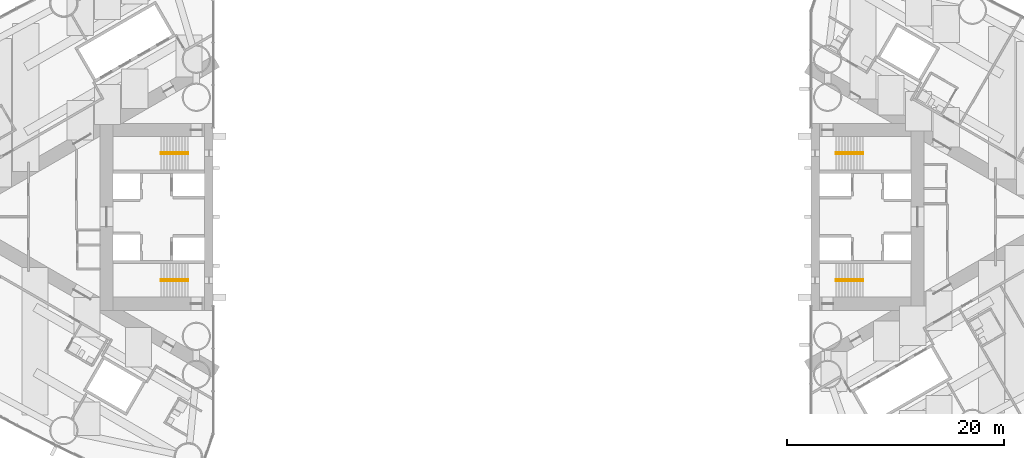
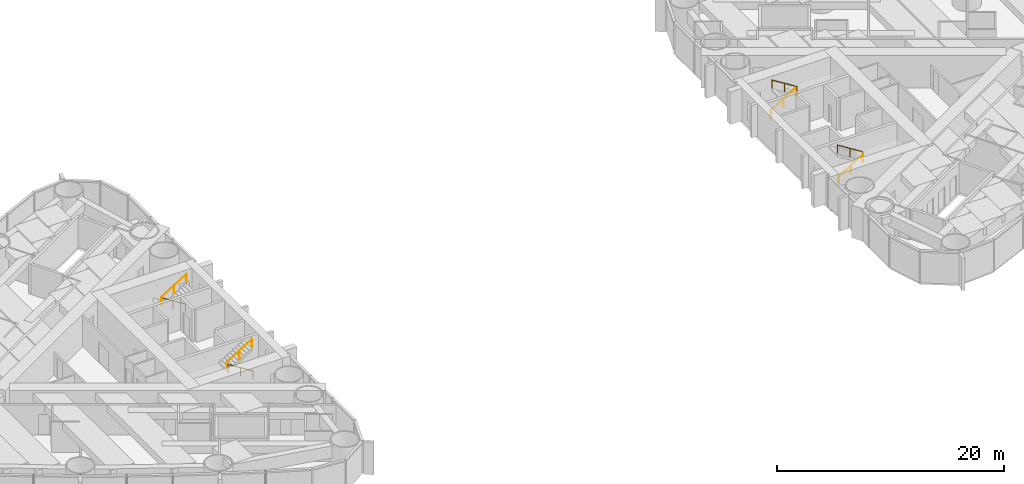
# One storey, part 18 of 19: 8 railings.
"""IFC4 building model written with IfcOpenShell, lengths in metres."""

from ifc_helpers import new_model, si_unit, direction, frame, origin, origin_2d, place, context, subcontext, project, spatial, circle, extrude, material, type_object, element, save


model = new_model("IFC4")

# Units and contexts
model_context = context("Model", 3, precision=1e-05, world=origin(), true_north=direction((0.0, 1.0)))
body_context = subcontext(model_context, "Body", "Model", "MODEL_VIEW")
ifc_project = project(units=[si_unit("LENGTHUNIT", "METRE"), si_unit("AREAUNIT", "SQUARE_METRE"), si_unit("VOLUMEUNIT", "CUBIC_METRE"), si_unit("PLANEANGLEUNIT", "RADIAN"), si_unit("MASSUNIT", "GRAM", prefix="KILO")], contexts=[model_context])

# Site, building, storey
site_placement = place(None, origin())
site = spatial("IfcSite", under=ifc_project, at=site_placement, CompositionType="ELEMENT")
building_placement = place(site_placement, origin())
building = spatial("IfcBuilding", under=site, at=building_placement, Name="Lancet Gate Hotel", CompositionType="ELEMENT")
storey_placement = place(building_placement, frame((0.0, 0.0, 90.60009765625)))
storey = spatial("IfcBuildingStorey", under=building, at=storey_placement, Name="L23", CompositionType="ELEMENT", Elevation=90.60009765625)

# Railings
ifc_material = material(Name="Stainless steel handrail", Category="steel")
railing_type = type_object("IfcRailingType", Name="Stair handrail 900", PredefinedType="HANDRAIL", material=ifc_material)
railing_1_placement = place(storey_placement, frame((-29.800048828125, 5.929931640625, 0.1748046875)))
element("IfcRailing", 1, at=railing_1_placement, inside=storey, type_object=railing_type, Name="ST1 handrail flight 1 L23", PredefinedType="HANDRAIL", context=body_context, shape_type="SweptSolid", body=[
    extrude(circle(Radius=0.02392578125, at=origin_2d()), frame((0.0, 0.0, 0.8759765625), z_axis=(-0.847970611238, 0.0, 0.530043245855), x_axis=(0.0, -1.0, 0.0)), (0.0, 0.0, 1.0), 2.971923828125),
    extrude(circle(Radius=0.02099609375, at=origin_2d()), origin(), (0.0, 0.0, 1.0), 0.851806640625),
    extrude(circle(Radius=0.02099609375, at=origin_2d()), frame((-1.260009765625, 0.0, 0.78759765625)), (0.0, 0.0, 1.0), 0.851806640625),
    extrude(circle(Radius=0.02099609375, at=origin_2d()), frame((-2.52001953125, 0.0, 1.5751953125)), (0.0, 0.0, 1.0), 0.851806640625),
])
railing_2_placement = place(storey_placement, frame((-32.320068359375, 5.77001953125, 1.9248046875)))
element("IfcRailing", 2, at=railing_2_placement, inside=storey, type_object=railing_type, Name="ST1 handrail flight 2 L23", PredefinedType="HANDRAIL", context=body_context, shape_type="SweptSolid", body=[
    extrude(circle(Radius=0.02392578125, at=origin_2d()), frame((0.0, 0.0, 0.8759765625), z_axis=(0.847970611238, 0.0, 0.530043245855), x_axis=(0.0, 1.0, 0.0)), (0.0, 0.0, 1.0), 2.971923828125),
    extrude(circle(Radius=0.02099609375, at=origin_2d()), origin(), (0.0, 0.0, 1.0), 0.851806640625),
    extrude(circle(Radius=0.02099609375, at=origin_2d()), frame((1.260009765625, 0.0, 0.78759765625)), (0.0, 0.0, 1.0), 0.851806640625),
    extrude(circle(Radius=0.02099609375, at=origin_2d()), frame((2.52001953125, 0.0, 1.5751953125)), (0.0, 0.0, 1.0), 0.851806640625),
])
railing_3_placement = place(storey_placement, frame((-29.800048828125, -5.929931640625, 0.1748046875)))
element("IfcRailing", 3, at=railing_3_placement, inside=storey, type_object=railing_type, Name="ST2 handrail flight 1 L23", PredefinedType="HANDRAIL", context=body_context, shape_type="SweptSolid", body=[
    extrude(circle(Radius=0.02392578125, at=origin_2d()), frame((0.0, 0.0, 0.8759765625), z_axis=(-0.847970611238, 0.0, 0.530043245855), x_axis=(0.0, -1.0, 0.0)), (0.0, 0.0, 1.0), 2.971923828125),
    extrude(circle(Radius=0.02099609375, at=origin_2d()), origin(), (0.0, 0.0, 1.0), 0.851806640625),
    extrude(circle(Radius=0.02099609375, at=origin_2d()), frame((-1.260009765625, 0.0, 0.78759765625)), (0.0, 0.0, 1.0), 0.851806640625),
    extrude(circle(Radius=0.02099609375, at=origin_2d()), frame((-2.52001953125, 0.0, 1.5751953125)), (0.0, 0.0, 1.0), 0.851806640625),
])
for number, where, name in (
    (4, (-32.320068359375, -5.77001953125, 1.9248046875), "ST2 handrail flight 2 L23"),
    (5, (29.800048828125, -5.929931640625, 0.1748046875), "ST3 handrail flight 1 L23"),
):
    element("IfcRailing", number, at=place(storey_placement, frame(where)), inside=storey, type_object=railing_type, Name=name, PredefinedType="HANDRAIL", context=body_context, shape_type="SweptSolid", body=[
        extrude(circle(Radius=0.02392578125, at=origin_2d()), frame((0.0, 0.0, 0.8759765625), z_axis=(0.847970611238, 0.0, 0.530043245855), x_axis=(0.0, 1.0, 0.0)), (0.0, 0.0, 1.0), 2.971923828125),
        extrude(circle(Radius=0.02099609375, at=origin_2d()), origin(), (0.0, 0.0, 1.0), 0.851806640625),
        extrude(circle(Radius=0.02099609375, at=origin_2d()), frame((1.260009765625, 0.0, 0.78759765625)), (0.0, 0.0, 1.0), 0.851806640625),
        extrude(circle(Radius=0.02099609375, at=origin_2d()), frame((2.52001953125, 0.0, 1.5751953125)), (0.0, 0.0, 1.0), 0.851806640625),
    ])
railing_4_placement = place(storey_placement, frame((32.320068359375, -5.77001953125, 1.9248046875)))
element("IfcRailing", 6, at=railing_4_placement, inside=storey, type_object=railing_type, Name="ST3 handrail flight 2 L23", PredefinedType="HANDRAIL", context=body_context, shape_type="SweptSolid", body=[
    extrude(circle(Radius=0.02392578125, at=origin_2d()), frame((0.0, 0.0, 0.8759765625), z_axis=(-0.847970611238, 0.0, 0.530043245855), x_axis=(0.0, -1.0, 0.0)), (0.0, 0.0, 1.0), 2.971923828125),
    extrude(circle(Radius=0.02099609375, at=origin_2d()), origin(), (0.0, 0.0, 1.0), 0.851806640625),
    extrude(circle(Radius=0.02099609375, at=origin_2d()), frame((-1.260009765625, 0.0, 0.78759765625)), (0.0, 0.0, 1.0), 0.851806640625),
    extrude(circle(Radius=0.02099609375, at=origin_2d()), frame((-2.52001953125, 0.0, 1.5751953125)), (0.0, 0.0, 1.0), 0.851806640625),
])
railing_5_placement = place(storey_placement, frame((29.800048828125, 5.929931640625, 0.1748046875)))
element("IfcRailing", 7, at=railing_5_placement, inside=storey, type_object=railing_type, Name="ST4 handrail flight 1 L23", PredefinedType="HANDRAIL", context=body_context, shape_type="SweptSolid", body=[
    extrude(circle(Radius=0.02392578125, at=origin_2d()), frame((0.0, 0.0, 0.8759765625), z_axis=(0.847970611238, 0.0, 0.530043245855), x_axis=(0.0, 1.0, 0.0)), (0.0, 0.0, 1.0), 2.971923828125),
    extrude(circle(Radius=0.02099609375, at=origin_2d()), origin(), (0.0, 0.0, 1.0), 0.851806640625),
    extrude(circle(Radius=0.02099609375, at=origin_2d()), frame((1.260009765625, 0.0, 0.78759765625)), (0.0, 0.0, 1.0), 0.851806640625),
    extrude(circle(Radius=0.02099609375, at=origin_2d()), frame((2.52001953125, 0.0, 1.5751953125)), (0.0, 0.0, 1.0), 0.851806640625),
])
railing_6_placement = place(storey_placement, frame((32.320068359375, 5.77001953125, 1.9248046875)))
element("IfcRailing", 8, at=railing_6_placement, inside=storey, type_object=railing_type, Name="ST4 handrail flight 2 L23", PredefinedType="HANDRAIL", context=body_context, shape_type="SweptSolid", body=[
    extrude(circle(Radius=0.02392578125, at=origin_2d()), frame((0.0, 0.0, 0.8759765625), z_axis=(-0.847970611238, 0.0, 0.530043245855), x_axis=(0.0, -1.0, 0.0)), (0.0, 0.0, 1.0), 2.971923828125),
    extrude(circle(Radius=0.02099609375, at=origin_2d()), origin(), (0.0, 0.0, 1.0), 0.851806640625),
    extrude(circle(Radius=0.02099609375, at=origin_2d()), frame((-1.260009765625, 0.0, 0.78759765625)), (0.0, 0.0, 1.0), 0.851806640625),
    extrude(circle(Radius=0.02099609375, at=origin_2d()), frame((-2.52001953125, 0.0, 1.5751953125)), (0.0, 0.0, 1.0), 0.851806640625),
])

save(model, "model.ifc")
